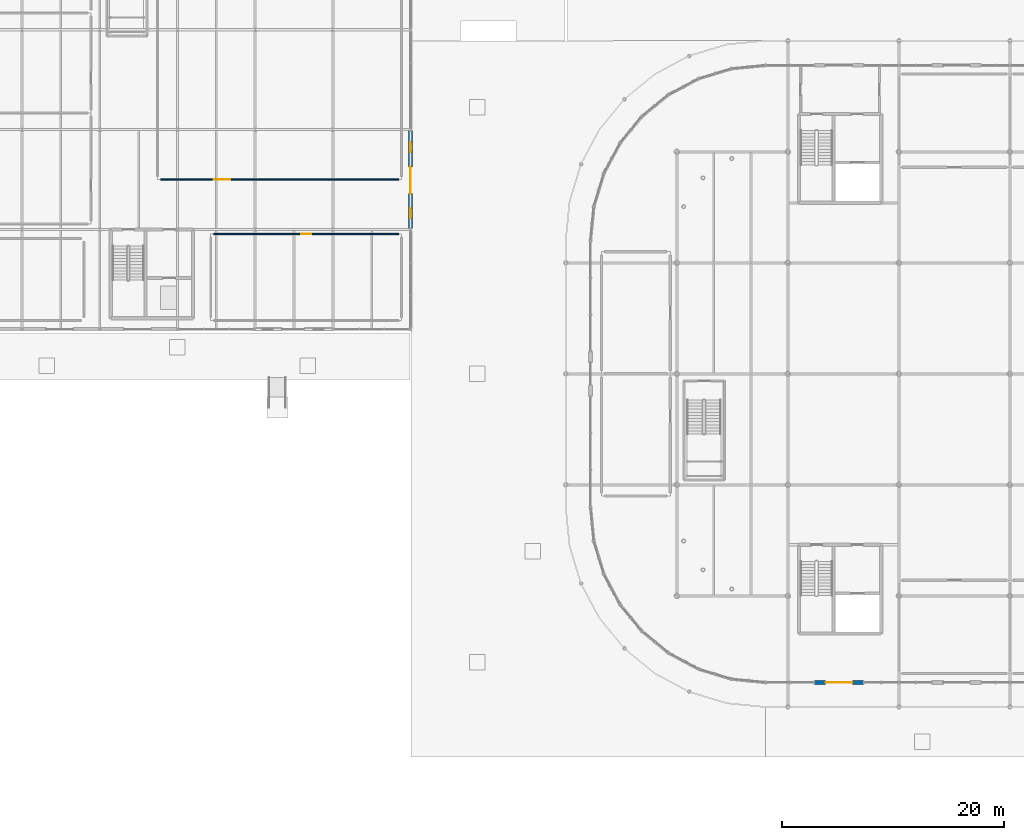
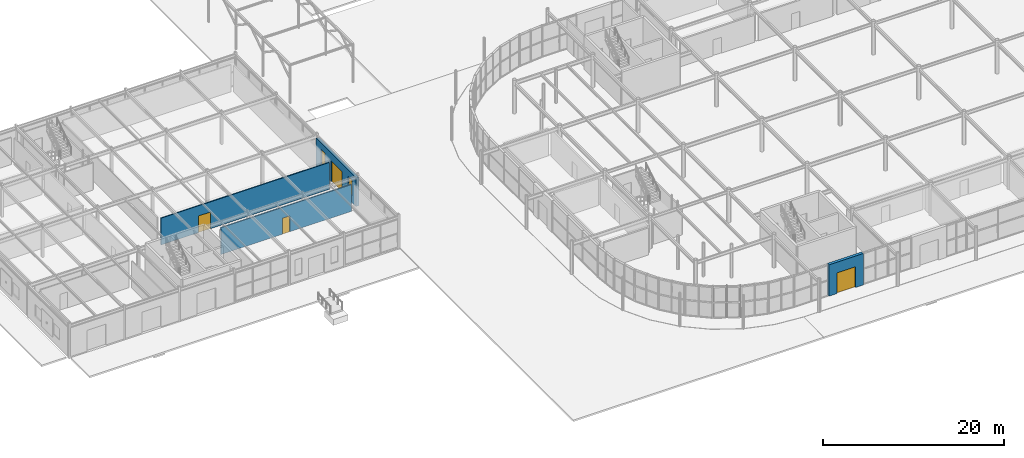
# One storey, part 87 of 119: 4 doors, 4 walls, 2 windows, 6 openings.
"""IFC4 building model written with IfcOpenShell, lengths in metres."""

import ifcopenshell
import ifcopenshell.guid

model = None  # the IFC model being written
_history = None  # IfcOwnerHistory: only IFC2X3 demands one
_inside = {}  # id of a spatial element -> (the spatial element, [elements in it])
_under = {}  # id of a project, library or spatial element -> (it, [spatial elements below it])
_declared = {}  # id of a project -> (the project, [libraries it declares])
_typed = {}  # id of a type object -> (the type object, [elements of that type])
_made_of = {}  # id of a material, layer set ... -> (it, [elements and type objects made of it])


def new_model(schema):
    """Start an empty IFC model of exactly this schema.

    Asked for "IFC4X3", IfcOpenShell would pick the latest addendum, in which some entities
    have other attributes; the version numbers below select the first issue.
    IFC2X3 requires an IfcOwnerHistory on every rooted entity: one is made here for all.
    """
    global model, _history
    if schema == "IFC4X3":
        model = ifcopenshell.file(schema_version=(4, 3, 0, 0))
    else:
        model = ifcopenshell.file(schema=schema)
    _inside.clear()
    _under.clear()
    _declared.clear()
    _typed.clear()
    _made_of.clear()
    _history = None
    if model.schema == "IFC2X3":
        org = make("IfcOrganization", Name="unknown")
        user = make(
            "IfcPersonAndOrganization",
            ThePerson=make("IfcPerson", FamilyName="unknown"),
            TheOrganization=org,
        )
        app = make(
            "IfcApplication",
            ApplicationDeveloper=org,
            Version="unknown",
            ApplicationFullName="unknown",
            ApplicationIdentifier="unknown",
        )
        _history = make(
            "IfcOwnerHistory",
            OwningUser=user,
            OwningApplication=app,
            ChangeAction="ADDED",
            CreationDate=0,
        )
    return model


def make(cls, **values):
    """One entity of the class cls with the attributes given. An attribute that is None is left unset."""
    return model.create_entity(
        cls, **{name: value for name, value in values.items() if value is not None}
    )


def rooted(cls, **values):
    """An entity with a GlobalId (a new one), such as an element, a storey or a relation."""
    return make(cls, GlobalId=ifcopenshell.guid.new(), OwnerHistory=_history, **values)


def si_unit(unit_type, name, prefix=None):
    """IfcSIUnit, for example si_unit("LENGTHUNIT", "METRE", prefix="MILLI")."""
    return make("IfcSIUnit", UnitType=unit_type, Prefix=prefix, Name=name)


def derived_unit(unit_type, elements):
    """IfcDerivedUnit: a product of units, each with its exponent."""
    return make(
        "IfcDerivedUnit",
        Elements=[
            make("IfcDerivedUnitElement", Unit=unit, Exponent=power)
            for unit, power in elements
        ],
        UnitType=unit_type,
    )


def assignment(units):
    """IfcUnitAssignment: the units of a project."""
    return None if units is None else make("IfcUnitAssignment", Units=units)


def point(xyz):
    """IfcCartesianPoint."""
    return None if xyz is None else make("IfcCartesianPoint", Coordinates=xyz)


def direction(xyz):
    """IfcDirection."""
    return None if xyz is None else make("IfcDirection", DirectionRatios=xyz)


def frame(location, z_axis=None, x_axis=None):
    """IfcAxis2Placement3D, a coordinate frame: its origin and axes. An axis left out is left unset."""
    return make(
        "IfcAxis2Placement3D",
        Location=point(location),
        Axis=direction(z_axis),
        RefDirection=direction(x_axis),
    )


def frame_2d(location, x_axis=None):
    """IfcAxis2Placement2D, a coordinate frame in the plane: its origin and x axis."""
    return make(
        "IfcAxis2Placement2D", Location=point(location), RefDirection=direction(x_axis)
    )


def origin():
    """The frame at (0, 0, 0) with its axes left unset."""
    return frame((0.0, 0.0, 0.0))


def place(relative_to, where):
    """IfcLocalPlacement: puts the frame where relative to a parent placement (None: the world)."""
    return make(
        "IfcLocalPlacement", PlacementRelTo=relative_to, RelativePlacement=where
    )


def context(
    kind, dimensions, precision=None, world=None, true_north=None, identifier=None
):
    """IfcGeometricRepresentationContext, for example the 3D "Model" context."""
    return make(
        "IfcGeometricRepresentationContext",
        ContextIdentifier=identifier,
        ContextType=kind,
        CoordinateSpaceDimension=dimensions,
        Precision=precision,
        WorldCoordinateSystem=world,
        TrueNorth=true_north,
    )


def subcontext(parent, identifier, kind, view, scale=None):
    """IfcGeometricRepresentationSubContext, for example "Body" below "Model"."""
    return make(
        "IfcGeometricRepresentationSubContext",
        ContextIdentifier=identifier,
        ContextType=kind,
        ParentContext=parent,
        TargetScale=scale,
        TargetView=view,
    )


def project(units=None, contexts=None):
    """IfcProject with its units and contexts."""
    return rooted(
        "IfcProject",
        Name="project",
        RepresentationContexts=contexts,
        UnitsInContext=assignment(units),
    )


def spatial(cls, under=None, at=None, **own):
    """A site, building, storey or space (cls), placed at a placement, below another one or the project."""
    s = rooted(cls, ObjectPlacement=at, **own)
    if under is not None:
        _under.setdefault(under.id(), (under, []))[1].append(s)
    return s


def profile(cls, at=None, kind="AREA", **sizes):
    """A parametric profile (cls). Its sizes go by their IFC names, for example OverallWidth=200.0."""
    return make(cls, ProfileType=kind, Position=at, **sizes)


def rectangle(**sizes):
    """IfcRectangleProfileDef."""
    return profile("IfcRectangleProfileDef", **sizes)


def extrude(swept, where, along, depth):
    """IfcExtrudedAreaSolid: the profile swept, set in the frame where, extruded along a direction by depth."""
    return make(
        "IfcExtrudedAreaSolid",
        SweptArea=swept,
        Position=where,
        ExtrudedDirection=direction(along),
        Depth=depth,
    )


def shape(context_of_items, identifier, shape_type, items):
    """IfcShapeRepresentation: the items that make up one representation, for example the "Body"."""
    return make(
        "IfcShapeRepresentation",
        ContextOfItems=context_of_items,
        RepresentationIdentifier=identifier,
        RepresentationType=shape_type,
        Items=items,
    )


def material(Name=None, Category=None):
    """IfcMaterial."""
    return make("IfcMaterial", Name=Name, Category=Category)


def layer(
    of_material, thickness, ventilated=None, Name=None, Category=None, Priority=None
):
    """IfcMaterialLayer: one layer of a wall or slab, of a material (None: an air gap)."""
    return make(
        "IfcMaterialLayer",
        Material=of_material,
        LayerThickness=thickness,
        IsVentilated=ventilated,
        Name=Name,
        Category=Category,
        Priority=Priority,
    )


def layer_set(layers, Name=None):
    """IfcMaterialLayerSet."""
    return make("IfcMaterialLayerSet", MaterialLayers=layers, LayerSetName=Name)


def made_of(thing, what):
    """Note that an element or type object is made of a material, layer set ...; save() writes the relation."""
    if what is not None:
        _made_of.setdefault(what.id(), (what, []))[1].append(thing)
    return thing


def type_object(cls, material=None, **own):
    """A type object (cls), such as IfcWallType, which elements share."""
    return made_of(rooted(cls, **own), material)


def element(
    cls,
    number,
    at=None,
    inside=None,
    cuts=None,
    type_object=None,
    material=None,
    context=None,
    identifier="Body",
    shape_type=None,
    held_by="IfcProductDefinitionShape",
    body=None,
    shapes=None,
    **own,
):
    """One element of the class cls, such as IfcWall. Its Tag is "e" and its number.

    at: its placement. inside: the storey or other place that contains it. cuts: it is an
    opening in that element (IfcRelVoidsElement). A single representation is given by context,
    identifier, shape_type and body (its items); several are given by shapes. held_by: the class
    of the entity that holds the representations. save() writes the other relations.
    """
    e = rooted(cls, Tag="e%d" % number, ObjectPlacement=at, **own)
    if body is not None:
        shapes = [shape(context, identifier, shape_type, body)]
    if shapes is not None:
        e.Representation = make(held_by, Representations=shapes)
    if inside is not None:
        _inside.setdefault(inside.id(), (inside, []))[1].append(e)
    if cuts is not None:
        rooted(
            "IfcRelVoidsElement", RelatingBuildingElement=cuts, RelatedOpeningElement=e
        )
    if type_object is not None:
        _typed.setdefault(type_object.id(), (type_object, []))[1].append(e)
    return made_of(e, material)


def fill(opening, filler):
    """IfcRelFillsElement: the door or window that sits in an opening."""
    return rooted(
        "IfcRelFillsElement",
        RelatingOpeningElement=opening,
        RelatedBuildingElement=filler,
    )


def aggregate(whole, parts):
    """IfcRelAggregates: a whole, such as a stair, and the parts it consists of."""
    return rooted("IfcRelAggregates", RelatingObject=whole, RelatedObjects=parts)


def save(model, path):
    """Write the relations noted so far, then the file.

    IfcRelAggregates (storeys below a building ...), IfcRelContainedInSpatialStructure (elements
    in a storey), IfcRelDefinesByType, IfcRelAssociatesMaterial and IfcRelDeclares: one each for
    every whole, place, type object, material and project.
    """
    for whole, parts in _under.values():
        aggregate(whole, parts)
    for where, things in _inside.values():
        rooted(
            "IfcRelContainedInSpatialStructure",
            RelatedElements=things,
            RelatingStructure=where,
        )
    for kind, things in _typed.values():
        rooted("IfcRelDefinesByType", RelatedObjects=things, RelatingType=kind)
    for what, things in _made_of.values():
        rooted("IfcRelAssociatesMaterial", RelatedObjects=things, RelatingMaterial=what)
    for by, libraries in _declared.values():
        rooted("IfcRelDeclares", RelatingContext=by, RelatedDefinitions=libraries)
    model.write(path)


model = new_model("IFC4")

# Units and contexts
model_context = context("Model", 3, precision=1e-05, world=origin(), true_north=direction((0.0, 1.0)))
body_context = subcontext(model_context, "Body", "Model", "MODEL_VIEW")
ifc_project = project(units=[si_unit("LENGTHUNIT", "METRE"), si_unit("AREAUNIT", "SQUARE_METRE"), si_unit("VOLUMEUNIT", "CUBIC_METRE"), si_unit("PLANEANGLEUNIT", "RADIAN"), si_unit("MASSUNIT", "GRAM", prefix="KILO"), derived_unit("THERMALTRANSMITTANCEUNIT", [(si_unit("POWERUNIT", "WATT"), 1), (si_unit("LENGTHUNIT", "METRE"), -2), (si_unit("THERMODYNAMICTEMPERATUREUNIT", "KELVIN"), -1)])], contexts=[model_context])

# Site, building, storey
site_placement = place(None, origin())
site = spatial("IfcSite", under=ifc_project, at=site_placement, CompositionType="ELEMENT")
building_placement = place(site_placement, origin())
building = spatial("IfcBuilding", under=site, at=building_placement, Name="Cinnabar Yard Market Hall", CompositionType="ELEMENT")
storey_placement = place(building_placement, origin())
storey = spatial("IfcBuildingStorey", under=building, at=storey_placement, Name="L00", CompositionType="ELEMENT", Elevation=0.0)

# Wall, opening, door
ifc_material_1 = material(Name="Acoustic steel-stud plasterboard", Category="steel")
ifc_layer_1 = layer(ifc_material_1, 0.1201171875)
ifc_layer_set_1 = layer_set([ifc_layer_1], Name="Acoustic steel-stud plasterboard")
wall_type_1 = type_object("IfcWallType", Name="WL-PT120", PredefinedType="PARTITIONING", material=ifc_layer_set_1)
wall_1_placement = place(storey_placement, frame((29.47998046875, 61.5, 0.0), z_axis=(0.0, 0.0, 1.0), x_axis=(1.0, 0.0, 0.0)))
wall_1 = element("IfcWall", 1, at=wall_1_placement, inside=storey, type_object=wall_type_1, Name="Partition Food Court Dining Hall south", PredefinedType="PARTITIONING", context=body_context, shape_type="SweptSolid", body=[
    extrude(rectangle(XDim=21.43994140625, YDim=0.1201171875, at=frame_2d((10.719970703125, 0.0), x_axis=(1.0, 0.0))), origin(), (0.0, 0.0, 1.0), 3.6201171875),
])
opening_1_placement = place(wall_1_placement, frame((4.78564453125, 0.0, 0.0)))
opening_1 = element("IfcOpeningElement", 2, at=opening_1_placement, cuts=wall_1, Name="Opening ID-125", PredefinedType="OPENING", context=body_context, shape_type="SweptSolid", body=[
    extrude(rectangle(XDim=1.5, YDim=2.25, at=frame_2d((0.75, 1.125), x_axis=(1.0, 0.0))), frame((0.0, 0.070068359375, 0.0), z_axis=(0.0, -1.0, 0.0), x_axis=(1.0, 0.0, 0.0)), (0.0, 0.0, 1.0), 0.14013671875),
])
ifc_material_2 = material(Name="Spotted gum timber and vision glass", Category="wood")
door_type_1 = type_object("IfcDoorType", Name="DR-D08", OperationType="NOTDEFINED", PredefinedType="DOOR", material=ifc_material_2)
door_1_placement = place(opening_1_placement, origin())
door_1 = element("IfcDoor", 3, at=door_1_placement, inside=storey, type_object=door_type_1, Name="Interior Door ID-125", OperationType="DOUBLE_SWING_RIGHT", OverallHeight=2.25, OverallWidth=1.5, PredefinedType="DOOR", context=body_context, shape_type="SweptSolid", body=[
    extrude(rectangle(XDim=1.5, YDim=2.25, at=frame_2d((0.75, 1.125), x_axis=(1.0, 0.0))), frame((0.0, 0.02490234375, 0.0), z_axis=(0.0, -1.0, 0.0), x_axis=(1.0, 0.0, 0.0)), (0.0, 0.0, 1.0), 0.050048828125),
])
fill(opening_1, door_1)

wall_2_placement = place(storey_placement, frame((50.919921875, 56.60009765625, 0.0), z_axis=(0.0, 0.0, 1.0), x_axis=(-1.0, 0.0, 0.0)))
wall_2 = element("IfcWall", 4, at=wall_2_placement, inside=storey, type_object=wall_type_1, Name="Partition Charbagh Courtyard Cafe north", PredefinedType="PARTITIONING", context=body_context, shape_type="SweptSolid", body=[
    extrude(rectangle(XDim=16.639892578125, YDim=0.1201171875, at=frame_2d((8.31982421875, 0.0), x_axis=(1.0, 0.0))), origin(), (0.0, 0.0, 1.0), 3.6201171875),
])
opening_2_placement = place(wall_2_placement, frame((7.860107421875, 0.0, 0.0)))
opening_2 = element("IfcOpeningElement", 5, at=opening_2_placement, cuts=wall_2, Name="Opening ID-129", PredefinedType="OPENING", context=body_context, shape_type="SweptSolid", body=[
    extrude(rectangle(XDim=0.919921875, YDim=2.14990234375, at=frame_2d((0.4599609375, 1.074951171875), x_axis=(1.0, 0.0))), frame((0.0, 0.070068359375, 0.0), z_axis=(0.0, -1.0, 0.0), x_axis=(1.0, 0.0, 0.0)), (0.0, 0.0, 1.0), 0.14013671875),
])
ifc_material_3 = material(Name="Solid-core spotted gum timber", Category="wood")
door_type_2 = type_object("IfcDoorType", Name="DR-D07", OperationType="NOTDEFINED", PredefinedType="DOOR", material=ifc_material_3)
door_2_placement = place(opening_2_placement, origin())
door_2 = element("IfcDoor", 6, at=door_2_placement, inside=storey, type_object=door_type_2, Name="Interior Door ID-129", OperationType="SINGLE_SWING_RIGHT", OverallHeight=2.14990234375, OverallWidth=0.919921875, PredefinedType="DOOR", context=body_context, shape_type="SweptSolid", body=[
    extrude(rectangle(XDim=0.919921875, YDim=2.14990234375, at=frame_2d((0.4599609375, 1.074951171875), x_axis=(1.0, 0.0))), frame((0.0, 0.02490234375, 0.0), z_axis=(0.0, -1.0, 0.0), x_axis=(1.0, 0.0, 0.0)), (0.0, 0.0, 1.0), 0.050048828125),
])
fill(opening_2, door_2)

ifc_material_4 = material(Name="Red sandstone ashlar over Concrete 32 MPa", Category="masonry")
ifc_layer_2 = layer(ifc_material_4, 0.35009765625)
ifc_layer_set_2 = layer_set([ifc_layer_2], Name="Red sandstone ashlar over Concrete 32 MPa")
wall_type_2 = type_object("IfcWallType", Name="WL-W-EXT1", PredefinedType="SOLIDWALL", material=ifc_layer_set_2)
wall_3_placement = place(storey_placement, frame((88.39990234375, 16.199951171875, 0.0), z_axis=(0.0, 0.0, 1.0), x_axis=(1.0, 0.0, 0.0)))
wall_3 = element("IfcWall", 7, at=wall_3_placement, inside=storey, type_object=wall_type_2, Name="Market Hall South Portal PTW", PredefinedType="SOLIDWALL", context=body_context, shape_type="SweptSolid", body=[
    extrude(rectangle(XDim=4.400146484375, YDim=0.35009765625, at=frame_2d((2.2001953125, 0.0), x_axis=(1.0, 0.0))), origin(), (0.0, 0.0, 1.0), 4.239990234375),
])
opening_3_placement = place(wall_3_placement, frame((1.0, 0.0, 0.0)))
opening_3 = element("IfcOpeningElement", 8, at=opening_3_placement, cuts=wall_3, Name="Opening ED-001", PredefinedType="OPENING", context=body_context, shape_type="SweptSolid", body=[
    extrude(rectangle(XDim=2.39990234375, YDim=2.800048828125, at=frame_2d((1.199951171875, 1.39990234375), x_axis=(1.0, 0.0))), frame((0.0, 0.18505859375, 0.0), z_axis=(0.0, -1.0, 0.0), x_axis=(1.0, 0.0, 0.0)), (0.0, 0.0, 1.0), 0.3701171875),
])
ifc_material_5 = material(Name="Anodised bronze aluminium and toughened glass", Category="aluminium")
door_type_3 = type_object("IfcDoorType", Name="DR-D02", OperationType="NOTDEFINED", PredefinedType="DOOR", material=ifc_material_5)
door_3_placement = place(opening_3_placement, origin())
door_3 = element("IfcDoor", 9, at=door_3_placement, inside=storey, type_object=door_type_3, Name="Door ED-001", OperationType="DOUBLE_SWING_LEFT", OverallHeight=2.800048828125, OverallWidth=2.39990234375, PredefinedType="DOOR", context=body_context, shape_type="SweptSolid", body=[
    extrude(rectangle(XDim=2.39990234375, YDim=2.800048828125, at=frame_2d((1.199951171875, 1.39990234375), x_axis=(1.0, 0.0))), frame((0.0, 0.02490234375, 0.0), z_axis=(0.0, -1.0, 0.0), x_axis=(1.0, 0.0, 0.0)), (0.0, 0.0, 1.0), 0.050048828125),
])
fill(opening_3, door_3)

# Wall, openings, door, windows
wall_4_placement = place(storey_placement, frame((52.0, 57.10009765625, 0.0), z_axis=(0.0, 0.0, 1.0), x_axis=(0.0, 1.0, 0.0)))
wall_4 = element("IfcWall", 10, at=wall_4_placement, inside=storey, type_object=wall_type_2, Name="Pavilion Courtyard Pishtaq Portal", PredefinedType="SOLIDWALL", context=body_context, shape_type="SweptSolid", body=[
    extrude(rectangle(XDim=8.7998046875, YDim=0.35009765625, at=frame_2d((4.39990234375, 0.0), x_axis=(1.0, 0.0))), origin(), (0.0, 0.0, 1.0), 3.8798828125),
])
opening_4_placement = place(wall_4_placement, frame((3.139892578125, 0.0, 0.0)))
opening_4 = element("IfcOpeningElement", 11, at=opening_4_placement, cuts=wall_4, Name="Opening ED-020", PredefinedType="OPENING", context=body_context, shape_type="SweptSolid", body=[
    extrude(rectangle(XDim=2.39990234375, YDim=2.800048828125, at=frame_2d((1.199951171875, 1.39990234375), x_axis=(1.0, 0.0))), frame((0.0, 0.18505859375, 0.0), z_axis=(0.0, -1.0, 0.0), x_axis=(1.0, 0.0, 0.0)), (0.0, 0.0, 1.0), 0.3701171875),
])
opening_5_placement = place(wall_4_placement, frame((0.89990234375, 0.0, 0.85009765625)))
opening_5 = element("IfcOpeningElement", 12, at=opening_5_placement, cuts=wall_4, Name="Opening W05", PredefinedType="OPENING", context=body_context, shape_type="SweptSolid", body=[
    extrude(rectangle(XDim=0.89990234375, YDim=2.14990234375, at=frame_2d((0.449951171875, 1.074951171875), x_axis=(1.0, 0.0))), frame((0.0, 0.18505859375, 0.0), z_axis=(0.0, -1.0, 0.0), x_axis=(1.0, 0.0, 0.0)), (0.0, 0.0, 1.0), 0.3701171875),
])
opening_6_placement = place(wall_4_placement, frame((6.8798828125, 0.0, 0.85009765625)))
opening_6 = element("IfcOpeningElement", 13, at=opening_6_placement, cuts=wall_4, Name="Opening W05", PredefinedType="OPENING", context=body_context, shape_type="SweptSolid", body=[
    extrude(rectangle(XDim=0.89990234375, YDim=2.14990234375, at=frame_2d((0.449951171875, 1.074951171875), x_axis=(1.0, 0.0))), frame((0.0, 0.18505859375, 0.0), z_axis=(0.0, -1.0, 0.0), x_axis=(1.0, 0.0, 0.0)), (0.0, 0.0, 1.0), 0.3701171875),
])
door_4_placement = place(opening_4_placement, origin())
door_4 = element("IfcDoor", 14, at=door_4_placement, inside=storey, type_object=door_type_3, Name="Door ED-020", OperationType="DOUBLE_SWING_LEFT", OverallHeight=2.800048828125, OverallWidth=2.39990234375, PredefinedType="DOOR", context=body_context, shape_type="SweptSolid", body=[
    extrude(rectangle(XDim=2.39990234375, YDim=2.800048828125, at=frame_2d((1.199951171875, 1.39990234375), x_axis=(1.0, 0.0))), frame((0.0, 0.02490234375, 0.0), z_axis=(0.0, -1.0, 0.0), x_axis=(1.0, 0.0, 0.0)), (0.0, 0.0, 1.0), 0.050048828125),
])
fill(opening_4, door_4)
ifc_material_6 = material(Name="Narrow Mughal lancet glazing in bronze aluminium", Category="aluminium")
window_type = type_object("IfcWindowType", Name="WN-W05", PartitioningType="SINGLE_PANEL", PredefinedType="WINDOW", material=ifc_material_6)
window_1_placement = place(opening_5_placement, origin())
window_1 = element("IfcWindow", 15, at=window_1_placement, inside=storey, type_object=window_type, Name="Window WN-V2E-PT1", OverallHeight=2.14990234375, OverallWidth=0.89990234375, PartitioningType="SINGLE_PANEL", PredefinedType="WINDOW", context=body_context, shape_type="SweptSolid", body=[
    extrude(rectangle(XDim=0.89990234375, YDim=2.14990234375, at=frame_2d((0.449951171875, 1.074951171875), x_axis=(1.0, 0.0))), frame((0.0, 0.030029296875, 0.0), z_axis=(0.0, -1.0, 0.0), x_axis=(1.0, 0.0, 0.0)), (0.0, 0.0, 1.0), 0.06005859375),
])
fill(opening_5, window_1)
window_2_placement = place(opening_6_placement, origin())
window_2 = element("IfcWindow", 16, at=window_2_placement, inside=storey, type_object=window_type, Name="Window WN-V2E-PT2", OverallHeight=2.14990234375, OverallWidth=0.89990234375, PartitioningType="SINGLE_PANEL", PredefinedType="WINDOW", context=body_context, shape_type="SweptSolid", body=[
    extrude(rectangle(XDim=0.89990234375, YDim=2.14990234375, at=frame_2d((0.449951171875, 1.074951171875), x_axis=(1.0, 0.0))), frame((0.0, 0.030029296875, 0.0), z_axis=(0.0, -1.0, 0.0), x_axis=(1.0, 0.0, 0.0)), (0.0, 0.0, 1.0), 0.06005859375),
])
fill(opening_6, window_2)

save(model, "model.ifc")
